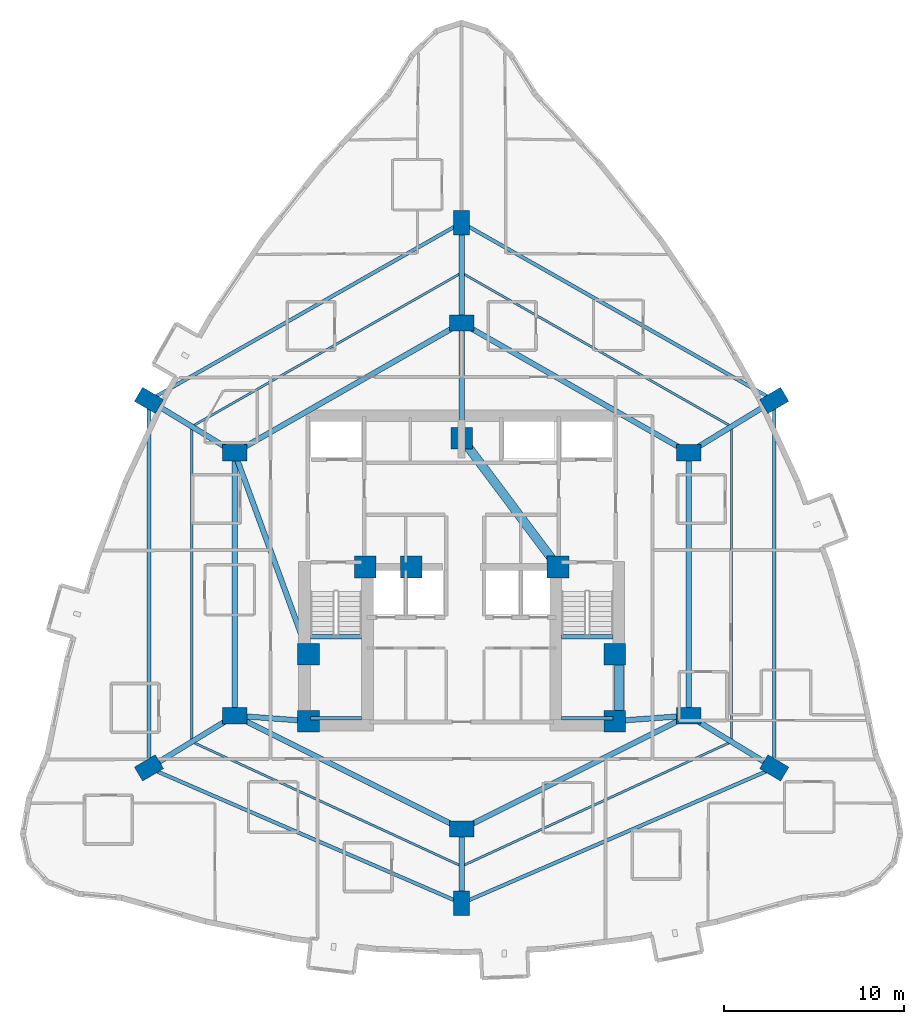
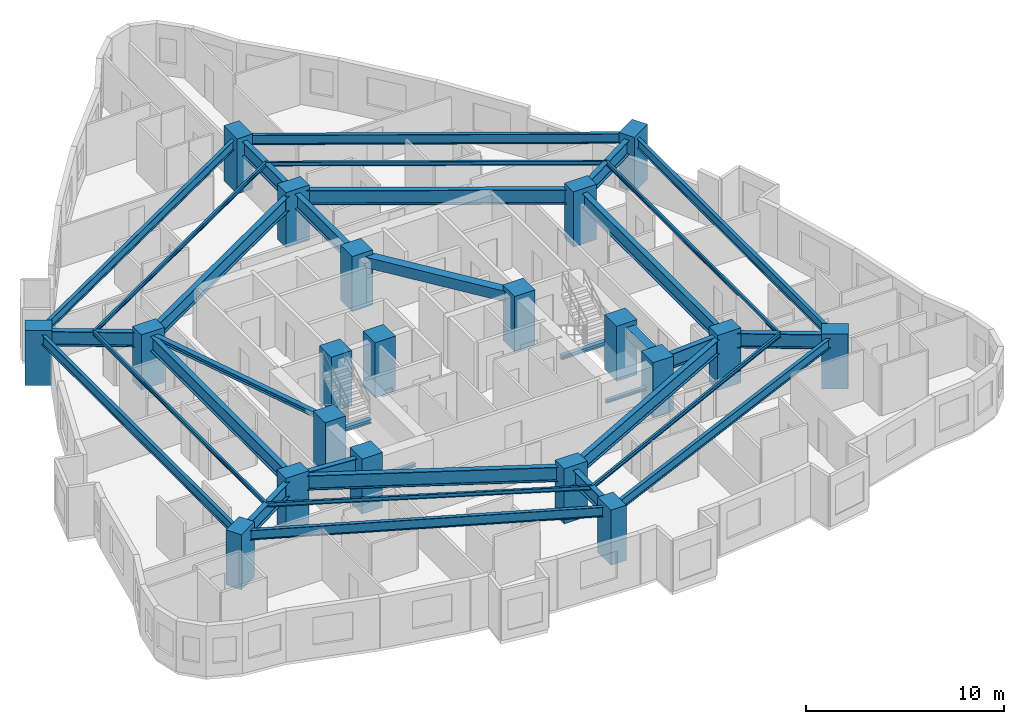
# One storey, part 1 of 11: 34 beams, 20 columns.
"""IFC4 building model written with IfcOpenShell, lengths in metres."""

from ifc_helpers import new_model, si_unit, direction, frame, origin, origin_2d, place, context, subcontext, project, spatial, rectangle, i_section, extrude, material, material_profile, profile_set, type_object, element, save


model = new_model("IFC4")

# Units and contexts
model_context = context("Model", 3, precision=1e-05, world=origin(), true_north=direction((0.0, 1.0)))
body_context = subcontext(model_context, "Body", "Model", "MODEL_VIEW")
ifc_project = project(units=[si_unit("LENGTHUNIT", "METRE"), si_unit("AREAUNIT", "SQUARE_METRE"), si_unit("VOLUMEUNIT", "CUBIC_METRE"), si_unit("PLANEANGLEUNIT", "RADIAN"), si_unit("MASSUNIT", "GRAM", prefix="KILO")], contexts=[model_context])

# Site, building, storey
site_placement = place(None, origin())
site = spatial("IfcSite", under=ifc_project, at=site_placement, CompositionType="ELEMENT")
building_placement = place(site_placement, origin())
building = spatial("IfcBuilding", under=site, at=building_placement, Name="Miruveldt Soraemaru", CompositionType="ELEMENT")
storey_placement = place(building_placement, frame((0.0, 0.0, 66.60009765625)))
storey = spatial("IfcBuildingStorey", under=building, at=storey_placement, Name="L18", CompositionType="ELEMENT", Elevation=66.60009765625)

# Columns
ifc_material_1 = material(Name="Concrete C70/85 (70 MPa)", Category="concrete")
ifc_material_profile_1 = material_profile(ifc_material_1, rectangle(XDim=1.199951171875, YDim=1.199951171875, at=origin_2d()), Name="Concrete C70/85 (70 MPa)", Category="concrete")
ifc_profile_set_1 = profile_set([ifc_material_profile_1], Name="Concrete C70/85 (70 MPa)")
column_type_1 = type_object("IfcColumnType", Name="COL-CORE-1200", PredefinedType="COLUMN", material=ifc_profile_set_1)
for number, where, z_axis, x_axis, name in (
    (1, (35.5, 35.5, 0.0), (0.0, 0.0, 1.0), (1.0, 0.0, 0.0), "L18 Structural Column CC1"),
    (2, (38.64990234375, 44.050048828125, 0.0), (0.0, 0.0, 1.0), (1.0, 0.0, 0.0), "L18 Structural Column CC2"),
    (3, (52.5, 35.5, 0.0), (0.0, 0.0, 1.0), (1.0, 0.0, 0.0), "L18 Structural Column CC3"),
    (4, (52.5, 39.199951171875, 0.0), (0.0, 0.0, 1.0), (1.0, 0.0, 0.0), "L18 Structural Column CC4"),
    (5, (49.35009765625, 44.050048828125, 0.0), (0.0, 0.0, 1.0), (1.0, 0.0, 0.0), "L18 Structural Column CC5"),
    (6, (44.0, 51.199951171875, 0.0), (0.0, 0.0, 1.0), (1.0, 0.0, 0.0), "L18 Structural Column CC6"),
    (7, (35.5, 39.199951171875, 0.0), (0.0, 0.0, 1.0), (1.0, 0.0, 0.0), "L18 Structural Column CC7"),
    (8, (41.199951171875, 44.050048828125, 0.0), (0.0, 0.0, 1.0), (1.0, 0.0, 0.0), "L18 Structural Column CC8"),
):
    element("IfcColumn", number, at=place(storey_placement, frame(where, z_axis=z_axis, x_axis=x_axis)), inside=storey, type_object=column_type_1, Name=name, PredefinedType="COLUMN", context=body_context, shape_type="SweptSolid", body=[
        extrude(rectangle(XDim=1.199951171875, YDim=1.199951171875, at=origin_2d()), origin(), (0.0, 0.0, 1.0), 3.39990234375),
    ])
ifc_material_profile_2 = material_profile(ifc_material_1, rectangle(XDim=1.35009765625, YDim=0.89990234375, at=origin_2d()), Name="Concrete C70/85 (70 MPa)", Category="concrete")
ifc_profile_set_2 = profile_set([ifc_material_profile_2], Name="Concrete C70/85 (70 MPa)")
column_type_2 = type_object("IfcColumnType", Name="COL-TW-Z1B", PredefinedType="COLUMN", material=ifc_profile_set_2)
for number, where, z_axis, x_axis, name in (
    (9, (44.0, 57.60009765625, 0.0), (0.0, 0.0, 1.0), (1.0, 0.0, 0.0), "L18 Structural Column IR01"),
    (10, (56.60009765625, 50.39990234375, 0.0), (0.0, 0.0, 1.0), (1.0, 0.0, 0.0), "L18 Structural Column IR02"),
    (11, (56.60009765625, 35.800048828125, 0.0), (0.0, 0.0, 1.0), (1.0, 0.0, 0.0), "L18 Structural Column IR03"),
    (12, (44.0, 29.5, 0.0), (0.0, 0.0, 1.0), (1.0, 0.0, 0.0), "L18 Structural Column IR04"),
    (13, (31.39990234375, 35.800048828125, 0.0), (0.0, 0.0, 1.0), (1.0, 0.0, 0.0), "L18 Structural Column IR05"),
    (14, (31.39990234375, 50.39990234375, 0.0), (0.0, 0.0, 1.0), (1.0, 0.0, 0.0), "L18 Structural Column IR06"),
    (15, (44.0, 63.16796875, 0.0), (0.0, 0.0, 1.0), (0.0, 1.0, 0.0), "L18 Structural Column Z1P01"),
    (16, (61.35595703125, 53.300048828125, 0.0), (0.0, 0.0, 1.0), (0.864274801954, 0.50301994663, 0.0), "L18 Structural Column Z1P02"),
    (17, (61.35595703125, 32.89990234375, 0.0), (0.0, 0.0, 1.0), (-0.859852271597, 0.510542917912, 0.0), "L18 Structural Column Z1P03"),
    (18, (44.0, 25.382080078125, 0.0), (0.0, 0.0, 1.0), (0.0, 1.0, 0.0), "L18 Structural Column Z1P04"),
    (19, (26.64404296875, 32.89990234375, 0.0), (0.0, 0.0, 1.0), (0.859852271597, 0.510542917912, 0.0), "L18 Structural Column Z1P05"),
    (20, (26.64404296875, 53.300048828125, 0.0), (0.0, 0.0, 1.0), (-0.864274801954, 0.50301994663, 0.0), "L18 Structural Column Z1P06"),
):
    element("IfcColumn", number, at=place(storey_placement, frame(where, z_axis=z_axis, x_axis=x_axis)), inside=storey, type_object=column_type_2, Name=name, PredefinedType="COLUMN", context=body_context, shape_type="SweptSolid", body=[
        extrude(rectangle(XDim=1.35009765625, YDim=0.89990234375, at=origin_2d()), origin(), (0.0, 0.0, 1.0), 3.39990234375),
    ])

# Beams
ifc_material_2 = material(Name="Steel SM355 (355 MPa)", Category="steel")
ifc_material_profile_3 = material_profile(ifc_material_2, i_section(OverallWidth=0.300048828125, OverallDepth=0.300048828125, WebThickness=0.010009765625, FlangeThickness=0.014892578125, FilletRadius=0.01806640625, at=origin_2d()), Name="Steel SM355 (355 MPa)", Category="steel")
ifc_profile_set_3 = profile_set([ifc_material_profile_3], Name="Steel SM355 (355 MPa)")
beam_type_1 = type_object("IfcBeamType", Name="BM-LNT-H300", PredefinedType="LINTEL", material=ifc_profile_set_3)
beam_1_placement = place(storey_placement, frame((31.39990234375, 50.39990234375, 2.974853515625), z_axis=(0.343770424598, -0.939053723262, 0.0), x_axis=(0.939053723262, 0.343770424598, 0.0)))
element("IfcBeam", 21, at=beam_1_placement, inside=storey, type_object=beam_type_1, Name="L18 West Lobby Lintel", PredefinedType="LINTEL", context=body_context, shape_type="SweptSolid", body=[
    extrude(i_section(OverallWidth=0.300048828125, OverallDepth=0.300048828125, WebThickness=0.010009765625, FlangeThickness=0.014892578125, FilletRadius=0.01806640625, at=origin_2d()), origin(), (0.0, 0.0, 1.0), 11.9267578125),
])
ifc_material_3 = material(Name="Concrete C50/60 (50 MPa)", Category="concrete")
ifc_material_profile_4 = material_profile(ifc_material_3, rectangle(XDim=0.5, YDim=0.64990234375, at=origin_2d()), Name="Concrete C50/60 (50 MPa)", Category="concrete")
ifc_profile_set_4 = profile_set([ifc_material_profile_4], Name="Concrete C50/60 (50 MPa)")
beam_type_2 = type_object("IfcBeamType", Name="BM-RC-500x650", PredefinedType="BEAM", material=ifc_profile_set_4)
beam_2_placement = place(storey_placement, frame((52.72998046875, 35.5, 2.7998046875), z_axis=(0.0, 1.0, 0.0), x_axis=(-1.0, 0.0, 0.0)))
element("IfcBeam", 22, at=beam_2_placement, inside=storey, type_object=beam_type_2, Name="L18 Core Tie Beam 3", PredefinedType="BEAM", context=body_context, shape_type="SweptSolid", body=[
    extrude(rectangle(XDim=0.5, YDim=0.64990234375, at=origin_2d()), origin(), (0.0, 0.0, 1.0), 3.699951171875),
])
beam_3_placement = place(storey_placement, frame((49.35009765625, 44.050048828125, 2.7998046875), z_axis=(-0.599116023999, 0.800662219533, 0.0), x_axis=(-0.800662219533, -0.599116023999, 0.0)))
element("IfcBeam", 23, at=beam_3_placement, inside=storey, type_object=beam_type_2, Name="L18 Core Tie Beam 5", PredefinedType="BEAM", context=body_context, shape_type="SweptSolid", body=[
    extrude(rectangle(XDim=0.5, YDim=0.64990234375, at=origin_2d()), origin(), (0.0, 0.0, 1.0), 8.929931640625),
])
ifc_material_profile_5 = material_profile(ifc_material_2, i_section(OverallWidth=0.125, OverallDepth=0.25, WebThickness=0.006103515625, FlangeThickness=0.009033203125, FilletRadius=0.011962890625, at=origin_2d()), Name="Steel SM355 (355 MPa)", Category="steel")
ifc_profile_set_5 = profile_set([ifc_material_profile_5], Name="Steel SM355 (355 MPa)")
beam_type_3 = type_object("IfcBeamType", Name="BM-ST-H250", PredefinedType="JOIST", material=ifc_profile_set_5)
beam_4_placement = place(storey_placement, frame((44.0, 60.384033203125, 3.0), z_axis=(0.868865604585, -0.495048039254, 0.0), x_axis=(0.495048039254, 0.868865604585, 0.0)))
element("IfcBeam", 24, at=beam_4_placement, inside=storey, type_object=beam_type_3, Name="L18 Outer Bay Floor Joist 1", PredefinedType="JOIST", context=body_context, shape_type="SweptSolid", body=[
    extrude(i_section(OverallWidth=0.125, OverallDepth=0.25, WebThickness=0.006103515625, FlangeThickness=0.009033203125, FilletRadius=0.011962890625, at=origin_2d()), origin(), (0.0, 0.0, 1.0), 17.238525390625),
])
beam_5_placement = place(storey_placement, frame((58.97802734375, 51.85009765625, 3.0), z_axis=(0.0, -1.0, 0.0), x_axis=(1.0, 0.0, 0.0)))
element("IfcBeam", 25, at=beam_5_placement, inside=storey, type_object=beam_type_3, Name="L18 Outer Bay Floor Joist 2", PredefinedType="JOIST", context=body_context, shape_type="SweptSolid", body=[
    extrude(i_section(OverallWidth=0.125, OverallDepth=0.25, WebThickness=0.006103515625, FlangeThickness=0.009033203125, FilletRadius=0.011962890625, at=origin_2d()), origin(), (0.0, 0.0, 1.0), 17.5),
])
for number, where, z_axis, x_axis, name in (
    (26, (58.97802734375, 34.35009765625, 3.0), (-0.908046005539, -0.418870447543, 0.0), (0.418870447543, -0.908046005539, 0.0), "L18 Outer Bay Floor Joist 3"),
    (27, (44.0, 27.44091796875, 3.0), (-0.908046005539, 0.418870447543, 0.0), (-0.418870447543, -0.908046005539, 0.0), "L18 Outer Bay Floor Joist 4"),
):
    element("IfcBeam", number, at=place(storey_placement, frame(where, z_axis=z_axis, x_axis=x_axis)), inside=storey, type_object=beam_type_3, Name=name, PredefinedType="JOIST", context=body_context, shape_type="SweptSolid", body=[
        extrude(i_section(OverallWidth=0.125, OverallDepth=0.25, WebThickness=0.006103515625, FlangeThickness=0.009033203125, FilletRadius=0.011962890625, at=origin_2d()), origin(), (0.0, 0.0, 1.0), 16.494873046875),
    ])
beam_6_placement = place(storey_placement, frame((29.02197265625, 34.35009765625, 3.0), z_axis=(0.0, 1.0, 0.0), x_axis=(-1.0, 0.0, 0.0)))
element("IfcBeam", 28, at=beam_6_placement, inside=storey, type_object=beam_type_3, Name="L18 Outer Bay Floor Joist 5", PredefinedType="JOIST", context=body_context, shape_type="SweptSolid", body=[
    extrude(i_section(OverallWidth=0.125, OverallDepth=0.25, WebThickness=0.006103515625, FlangeThickness=0.009033203125, FilletRadius=0.011962890625, at=origin_2d()), origin(), (0.0, 0.0, 1.0), 17.5),
])
beam_7_placement = place(storey_placement, frame((29.02197265625, 51.85009765625, 3.0), z_axis=(0.868865604585, 0.495048039254, 0.0), x_axis=(-0.495048039254, 0.868865604585, 0.0)))
element("IfcBeam", 29, at=beam_7_placement, inside=storey, type_object=beam_type_3, Name="L18 Outer Bay Floor Joist 6", PredefinedType="JOIST", context=body_context, shape_type="SweptSolid", body=[
    extrude(i_section(OverallWidth=0.125, OverallDepth=0.25, WebThickness=0.006103515625, FlangeThickness=0.009033203125, FilletRadius=0.011962890625, at=origin_2d()), origin(), (0.0, 0.0, 1.0), 17.238525390625),
])
ifc_material_profile_6 = material_profile(ifc_material_2, i_section(OverallWidth=0.199951171875, OverallDepth=0.60009765625, WebThickness=0.010986328125, FlangeThickness=0.01708984375, FilletRadius=0.02197265625, at=origin_2d()), Name="Steel SM355 (355 MPa)", Category="steel")
ifc_profile_set_6 = profile_set([ifc_material_profile_6], Name="Steel SM355 (355 MPa)")
beam_type_4 = type_object("IfcBeamType", Name="BM-ST-H600", PredefinedType="SPANDREL", material=ifc_profile_set_6)
beam_8_placement = place(storey_placement, frame((44.0, 63.16796875, 2.824951171875), z_axis=(0.869314947608, -0.494258557706, 0.0), x_axis=(0.494258557706, 0.869314947608, 0.0)))
element("IfcBeam", 30, at=beam_8_placement, inside=storey, type_object=beam_type_4, Name="L18 Zone-1 Spandrel Beam 1", PredefinedType="SPANDREL", context=body_context, shape_type="SweptSolid", body=[
    extrude(i_section(OverallWidth=0.199951171875, OverallDepth=0.60009765625, WebThickness=0.010986328125, FlangeThickness=0.01708984375, FilletRadius=0.02197265625, at=origin_2d()), origin(), (0.0, 0.0, 1.0), 19.965087890625),
])
beam_9_placement = place(storey_placement, frame((61.35595703125, 53.300048828125, 2.824951171875), z_axis=(0.0, -1.0, 0.0), x_axis=(1.0, 0.0, 0.0)))
element("IfcBeam", 31, at=beam_9_placement, inside=storey, type_object=beam_type_4, Name="L18 Zone-1 Spandrel Beam 2", PredefinedType="SPANDREL", context=body_context, shape_type="SweptSolid", body=[
    extrude(i_section(OverallWidth=0.199951171875, OverallDepth=0.60009765625, WebThickness=0.010986328125, FlangeThickness=0.01708984375, FilletRadius=0.02197265625, at=origin_2d()), origin(), (0.0, 0.0, 1.0), 20.400146484375),
])
for number, where, z_axis, x_axis, name in (
    (32, (61.35595703125, 32.89990234375, 2.824951171875), (-0.917615263736, -0.397469782195, 0.0), (0.397469782195, -0.917615263736, 0.0), "L18 Zone-1 Spandrel Beam 3"),
    (33, (44.0, 25.382080078125, 2.824951171875), (-0.917615263736, 0.397469782195, 0.0), (-0.397469782195, -0.917615263736, 0.0), "L18 Zone-1 Spandrel Beam 4"),
):
    element("IfcBeam", number, at=place(storey_placement, frame(where, z_axis=z_axis, x_axis=x_axis)), inside=storey, type_object=beam_type_4, Name=name, PredefinedType="SPANDREL", context=body_context, shape_type="SweptSolid", body=[
        extrude(i_section(OverallWidth=0.199951171875, OverallDepth=0.60009765625, WebThickness=0.010986328125, FlangeThickness=0.01708984375, FilletRadius=0.02197265625, at=origin_2d()), origin(), (0.0, 0.0, 1.0), 18.914306640625),
    ])
beam_10_placement = place(storey_placement, frame((26.64404296875, 32.89990234375, 2.824951171875), z_axis=(0.0, 1.0, 0.0), x_axis=(-1.0, 0.0, 0.0)))
element("IfcBeam", 34, at=beam_10_placement, inside=storey, type_object=beam_type_4, Name="L18 Zone-1 Spandrel Beam 5", PredefinedType="SPANDREL", context=body_context, shape_type="SweptSolid", body=[
    extrude(i_section(OverallWidth=0.199951171875, OverallDepth=0.60009765625, WebThickness=0.010986328125, FlangeThickness=0.01708984375, FilletRadius=0.02197265625, at=origin_2d()), origin(), (0.0, 0.0, 1.0), 20.400146484375),
])
beam_11_placement = place(storey_placement, frame((26.64404296875, 53.300048828125, 2.824951171875), z_axis=(0.869314947608, 0.494258557706, 0.0), x_axis=(-0.494258557706, 0.869314947608, 0.0)))
element("IfcBeam", 35, at=beam_11_placement, inside=storey, type_object=beam_type_4, Name="L18 Zone-1 Spandrel Beam 6", PredefinedType="SPANDREL", context=body_context, shape_type="SweptSolid", body=[
    extrude(i_section(OverallWidth=0.199951171875, OverallDepth=0.60009765625, WebThickness=0.010986328125, FlangeThickness=0.01708984375, FilletRadius=0.02197265625, at=origin_2d()), origin(), (0.0, 0.0, 1.0), 19.965087890625),
])
ifc_material_4 = material(Name="Steel S460 (460 MPa)", Category="steel")
ifc_material_profile_7 = material_profile(ifc_material_4, i_section(OverallWidth=0.300048828125, OverallDepth=0.89990234375, WebThickness=0.01611328125, FlangeThickness=0.028076171875, FilletRadius=0.028076171875, at=origin_2d()), Name="Steel S460 (460 MPa)", Category="steel")
ifc_profile_set_7 = profile_set([ifc_material_profile_7], Name="Steel S460 (460 MPa)")
beam_type_5 = type_object("IfcBeamType", Name="BM-ST-H900", PredefinedType="BEAM", material=ifc_profile_set_7)
beam_12_placement = place(storey_placement, frame((44.0, 57.60009765625, 2.6748046875), z_axis=(0.868239001029, -0.496146185203, 0.0), x_axis=(0.496146185203, 0.868239001029, 0.0)))
element("IfcBeam", 36, at=beam_12_placement, inside=storey, type_object=beam_type_5, Name="L18 Inner Ring Girder 1", PredefinedType="BEAM", context=body_context, shape_type="SweptSolid", body=[
    extrude(i_section(OverallWidth=0.300048828125, OverallDepth=0.89990234375, WebThickness=0.01611328125, FlangeThickness=0.028076171875, FilletRadius=0.028076171875, at=origin_2d()), origin(), (0.0, 0.0, 1.0), 14.51220703125),
])
beam_13_placement = place(storey_placement, frame((44.0, 51.199951171875, 2.6748046875), z_axis=(0.0, 1.0, 0.0), x_axis=(-1.0, 0.0, 0.0)))
element("IfcBeam", 37, at=beam_13_placement, inside=storey, type_object=beam_type_5, Name="L18 Core-to-Inner Radial Girder 1", PredefinedType="BEAM", context=body_context, shape_type="SweptSolid", body=[
    extrude(i_section(OverallWidth=0.300048828125, OverallDepth=0.89990234375, WebThickness=0.01611328125, FlangeThickness=0.028076171875, FilletRadius=0.028076171875, at=origin_2d()), origin(), (0.0, 0.0, 1.0), 6.400146484375),
])
beam_14_placement = place(storey_placement, frame((56.60009765625, 50.39990234375, 2.6748046875), z_axis=(0.0, -1.0, 0.0), x_axis=(1.0, 0.0, 0.0)))
element("IfcBeam", 38, at=beam_14_placement, inside=storey, type_object=beam_type_5, Name="L18 Inner Ring Girder 2", PredefinedType="BEAM", context=body_context, shape_type="SweptSolid", body=[
    extrude(i_section(OverallWidth=0.300048828125, OverallDepth=0.89990234375, WebThickness=0.01611328125, FlangeThickness=0.028076171875, FilletRadius=0.028076171875, at=origin_2d()), origin(), (0.0, 0.0, 1.0), 14.599853515625),
])
beam_15_placement = place(storey_placement, frame((56.60009765625, 35.800048828125, 2.6748046875), z_axis=(-0.894427191, -0.4472135955, 0.0), x_axis=(0.4472135955, -0.894427191, 0.0)))
element("IfcBeam", 39, at=beam_15_placement, inside=storey, type_object=beam_type_5, Name="L18 Inner Ring Girder 3", PredefinedType="BEAM", context=body_context, shape_type="SweptSolid", body=[
    extrude(i_section(OverallWidth=0.300048828125, OverallDepth=0.89990234375, WebThickness=0.01611328125, FlangeThickness=0.028076171875, FilletRadius=0.028076171875, at=origin_2d()), origin(), (0.0, 0.0, 1.0), 14.08740234375),
])
beam_16_placement = place(storey_placement, frame((52.5, 35.5, 2.6748046875), z_axis=(0.997332985605, 0.072985723431, 0.0), x_axis=(-0.072985723431, 0.997332985605, 0.0)))
element("IfcBeam", 40, at=beam_16_placement, inside=storey, type_object=beam_type_5, Name="L18 Core-to-Inner Radial Girder 3", PredefinedType="BEAM", context=body_context, shape_type="SweptSolid", body=[
    extrude(i_section(OverallWidth=0.300048828125, OverallDepth=0.89990234375, WebThickness=0.01611328125, FlangeThickness=0.028076171875, FilletRadius=0.028076171875, at=origin_2d()), origin(), (0.0, 0.0, 1.0), 4.111083984375),
])
beam_17_placement = place(storey_placement, frame((44.0, 29.5, 2.6748046875), z_axis=(-0.894427191, 0.4472135955, 0.0), x_axis=(-0.4472135955, -0.894427191, 0.0)))
element("IfcBeam", 41, at=beam_17_placement, inside=storey, type_object=beam_type_5, Name="L18 Inner Ring Girder 4", PredefinedType="BEAM", context=body_context, shape_type="SweptSolid", body=[
    extrude(i_section(OverallWidth=0.300048828125, OverallDepth=0.89990234375, WebThickness=0.01611328125, FlangeThickness=0.028076171875, FilletRadius=0.028076171875, at=origin_2d()), origin(), (0.0, 0.0, 1.0), 14.08740234375),
])
beam_18_placement = place(storey_placement, frame((31.39990234375, 35.800048828125, 2.6748046875), z_axis=(0.0, 1.0, 0.0), x_axis=(-1.0, 0.0, 0.0)))
element("IfcBeam", 42, at=beam_18_placement, inside=storey, type_object=beam_type_5, Name="L18 Inner Ring Girder 5", PredefinedType="BEAM", context=body_context, shape_type="SweptSolid", body=[
    extrude(i_section(OverallWidth=0.300048828125, OverallDepth=0.89990234375, WebThickness=0.01611328125, FlangeThickness=0.028076171875, FilletRadius=0.028076171875, at=origin_2d()), origin(), (0.0, 0.0, 1.0), 14.599853515625),
])
beam_19_placement = place(storey_placement, frame((35.5, 35.5, 2.6748046875), z_axis=(-0.997332985605, 0.072985723431, 0.0), x_axis=(-0.072985723431, -0.997332985605, 0.0)))
element("IfcBeam", 43, at=beam_19_placement, inside=storey, type_object=beam_type_5, Name="L18 Core-to-Inner Radial Girder 5", PredefinedType="BEAM", context=body_context, shape_type="SweptSolid", body=[
    extrude(i_section(OverallWidth=0.300048828125, OverallDepth=0.89990234375, WebThickness=0.01611328125, FlangeThickness=0.028076171875, FilletRadius=0.028076171875, at=origin_2d()), origin(), (0.0, 0.0, 1.0), 4.111083984375),
])
beam_20_placement = place(storey_placement, frame((31.39990234375, 50.39990234375, 2.6748046875), z_axis=(0.868239001029, 0.496146185203, 0.0), x_axis=(-0.496146185203, 0.868239001029, 0.0)))
element("IfcBeam", 44, at=beam_20_placement, inside=storey, type_object=beam_type_5, Name="L18 Inner Ring Girder 6", PredefinedType="BEAM", context=body_context, shape_type="SweptSolid", body=[
    extrude(i_section(OverallWidth=0.300048828125, OverallDepth=0.89990234375, WebThickness=0.01611328125, FlangeThickness=0.028076171875, FilletRadius=0.028076171875, at=origin_2d()), origin(), (0.0, 0.0, 1.0), 14.51220703125),
])
beam_21_placement = place(storey_placement, frame((44.0, 57.60009765625, 2.6748046875), z_axis=(0.0, 1.0, 0.0), x_axis=(-1.0, 0.0, 0.0)))
element("IfcBeam", 45, at=beam_21_placement, inside=storey, type_object=beam_type_5, Name="L18 Zone-1 Radial Girder 1", PredefinedType="BEAM", context=body_context, shape_type="SweptSolid", body=[
    extrude(i_section(OverallWidth=0.300048828125, OverallDepth=0.89990234375, WebThickness=0.01611328125, FlangeThickness=0.028076171875, FilletRadius=0.028076171875, at=origin_2d()), origin(), (0.0, 0.0, 1.0), 5.56787109375),
])
for number, where, z_axis, x_axis, name in (
    (46, (56.60009765625, 50.39990234375, 2.6748046875), (0.853777644156, 0.520637814935, 0.0), (-0.520637814935, 0.853777644156, 0.0), "L18 Zone-1 Radial Girder 2"),
    (47, (56.60009765625, 35.800048828125, 2.6748046875), (0.853777644156, -0.520637814935, 0.0), (0.520637814935, 0.853777644156, 0.0), "L18 Zone-1 Radial Girder 3"),
):
    element("IfcBeam", number, at=place(storey_placement, frame(where, z_axis=z_axis, x_axis=x_axis)), inside=storey, type_object=beam_type_5, Name=name, PredefinedType="BEAM", context=body_context, shape_type="SweptSolid", body=[
        extrude(i_section(OverallWidth=0.300048828125, OverallDepth=0.89990234375, WebThickness=0.01611328125, FlangeThickness=0.028076171875, FilletRadius=0.028076171875, at=origin_2d()), origin(), (0.0, 0.0, 1.0), 5.5703125),
    ])
beam_22_placement = place(storey_placement, frame((44.0, 29.5, 2.6748046875), z_axis=(0.0, -1.0, 0.0), x_axis=(1.0, 0.0, 0.0)))
element("IfcBeam", 48, at=beam_22_placement, inside=storey, type_object=beam_type_5, Name="L18 Zone-1 Radial Girder 4", PredefinedType="BEAM", context=body_context, shape_type="SweptSolid", body=[
    extrude(i_section(OverallWidth=0.300048828125, OverallDepth=0.89990234375, WebThickness=0.01611328125, FlangeThickness=0.028076171875, FilletRadius=0.028076171875, at=origin_2d()), origin(), (0.0, 0.0, 1.0), 4.117919921875),
])
for number, where, z_axis, x_axis, name in (
    (49, (31.39990234375, 35.800048828125, 2.6748046875), (-0.853777644156, -0.520637814935, 0.0), (0.520637814935, -0.853777644156, 0.0), "L18 Zone-1 Radial Girder 5"),
    (50, (31.39990234375, 50.39990234375, 2.6748046875), (-0.853777644156, 0.520637814935, 0.0), (-0.520637814935, -0.853777644156, 0.0), "L18 Zone-1 Radial Girder 6"),
):
    element("IfcBeam", number, at=place(storey_placement, frame(where, z_axis=z_axis, x_axis=x_axis)), inside=storey, type_object=beam_type_5, Name=name, PredefinedType="BEAM", context=body_context, shape_type="SweptSolid", body=[
        extrude(i_section(OverallWidth=0.300048828125, OverallDepth=0.89990234375, WebThickness=0.01611328125, FlangeThickness=0.028076171875, FilletRadius=0.028076171875, at=origin_2d()), origin(), (0.0, 0.0, 1.0), 5.5703125),
    ])
ifc_material_profile_8 = material_profile(ifc_material_2, i_section(OverallWidth=0.199951171875, OverallDepth=0.199951171875, WebThickness=0.008056640625, FlangeThickness=0.011962890625, FilletRadius=0.012939453125, at=origin_2d()), Name="Steel SM355 (355 MPa)", Category="steel")
ifc_profile_set_8 = profile_set([ifc_material_profile_8], Name="Steel SM355 (355 MPa)")
beam_type_6 = type_object("IfcBeamType", Name="BM-ST-LND200", PredefinedType="BEAM", material=ifc_profile_set_8)
for number, where, z_axis, x_axis, name in (
    (51, (35.60009765625, 35.64990234375, 1.39990234375), (1.0, 0.0, 0.0), (0.0, 1.0, 0.0), "L18 ST1 Landing End Beam 1B"),
    (52, (49.550048828125, 35.64990234375, 1.39990234375), (1.0, 0.0, 0.0), (0.0, 1.0, 0.0), "L18 ST2 Landing End Beam 1B"),
):
    element("IfcBeam", number, at=place(storey_placement, frame(where, z_axis=z_axis, x_axis=x_axis)), inside=storey, type_object=beam_type_6, Name=name, PredefinedType="BEAM", context=body_context, shape_type="SweptSolid", body=[
        extrude(i_section(OverallWidth=0.199951171875, OverallDepth=0.199951171875, WebThickness=0.008056640625, FlangeThickness=0.011962890625, FilletRadius=0.012939453125, at=origin_2d()), origin(), (0.0, 0.0, 1.0), 2.849853515625),
    ])
ifc_material_profile_9 = material_profile(ifc_material_2, i_section(OverallWidth=0.25, OverallDepth=0.25, WebThickness=0.009033203125, FlangeThickness=0.013916015625, FilletRadius=0.01611328125, at=origin_2d()), Name="Steel SM355 (355 MPa)", Category="steel")
ifc_profile_set_9 = profile_set([ifc_material_profile_9], Name="Steel SM355 (355 MPa)")
beam_type_7 = type_object("IfcBeamType", Name="BM-ST-LND250", PredefinedType="BEAM", material=ifc_profile_set_9)
for number, where, z_axis, x_axis, name in (
    (53, (35.60009765625, 40.179931640625, 1.375), (1.0, 0.0, 0.0), (0.0, 1.0, 0.0), "L18 ST1 Landing Support Beam 1A"),
    (54, (49.550048828125, 40.179931640625, 1.375), (1.0, 0.0, 0.0), (0.0, 1.0, 0.0), "L18 ST2 Landing Support Beam 1A"),
):
    element("IfcBeam", number, at=place(storey_placement, frame(where, z_axis=z_axis, x_axis=x_axis)), inside=storey, type_object=beam_type_7, Name=name, PredefinedType="BEAM", context=body_context, shape_type="SweptSolid", body=[
        extrude(i_section(OverallWidth=0.25, OverallDepth=0.25, WebThickness=0.009033203125, FlangeThickness=0.013916015625, FilletRadius=0.01611328125, at=origin_2d()), origin(), (0.0, 0.0, 1.0), 2.849853515625),
    ])

save(model, "model.ifc")
